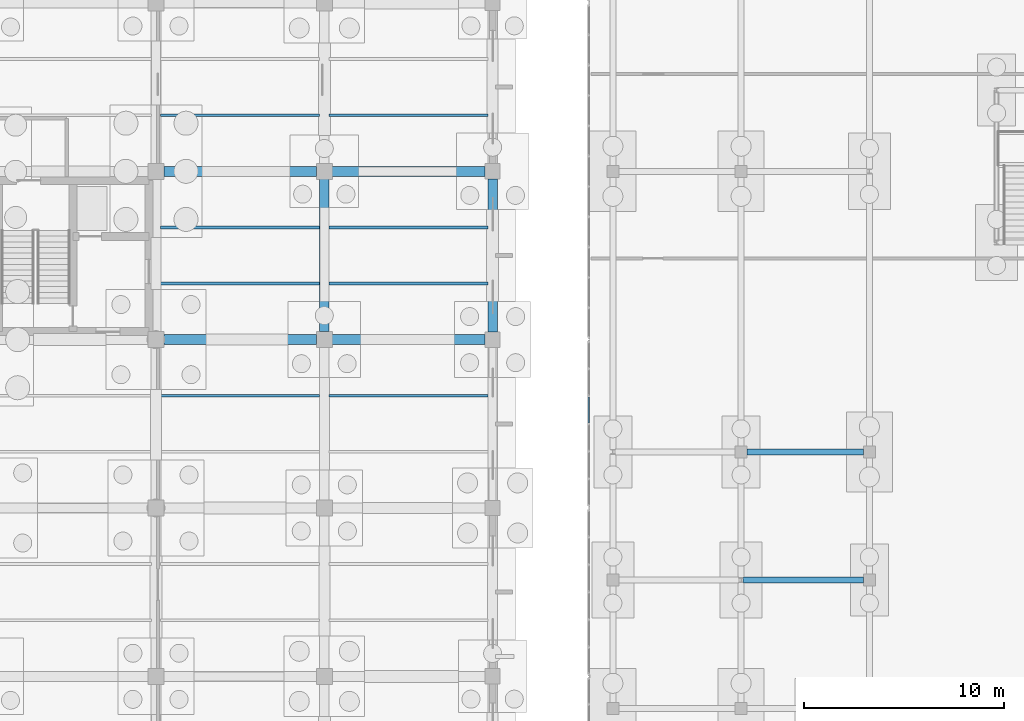
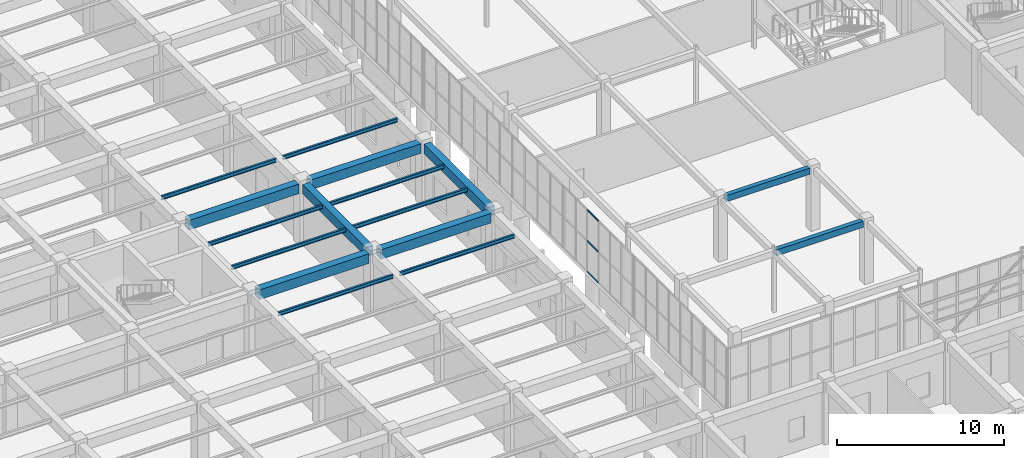
# One storey, part 53 of 192: 16 beams, 3 members, 1 element without a shape of its own.
"""IFC4 building model written with IfcOpenShell, lengths in metres."""

from ifc_helpers import new_model, si_unit, direction, frame, origin, origin_2d, place, context, subcontext, project, spatial, rectangle, hollow_rectangle, i_section, extrude, material, layer, layer_set, material_profile, profile_set, type_object, element, aggregate, save


model = new_model("IFC4")

# Units and contexts
model_context = context("Model", 3, precision=1e-05, world=origin(), true_north=direction((0.0, 1.0)))
body_context = subcontext(model_context, "Body", "Model", "MODEL_VIEW")
ifc_project = project(units=[si_unit("LENGTHUNIT", "METRE"), si_unit("AREAUNIT", "SQUARE_METRE"), si_unit("VOLUMEUNIT", "CUBIC_METRE"), si_unit("PLANEANGLEUNIT", "RADIAN"), si_unit("MASSUNIT", "GRAM", prefix="KILO")], contexts=[model_context])

# Site, building, storey
site_placement = place(None, origin())
site = spatial("IfcSite", under=ifc_project, at=site_placement, CompositionType="ELEMENT")
building_placement = place(site_placement, origin())
building = spatial("IfcBuilding", under=site, at=building_placement, Name="Trelvath General Hospital", CompositionType="ELEMENT")
storey_placement = place(building_placement, origin())
storey = spatial("IfcBuildingStorey", under=building, at=storey_placement, Name="L00", CompositionType="ELEMENT", Elevation=0.0)

# Beams
ifc_material_1 = material(Name="Concrete C35/45", Category="concrete")
ifc_material_profile_1 = material_profile(ifc_material_1, rectangle(XDim=0.300048828125, YDim=0.449951171875, at=origin_2d()), Name="RCB300x450")
ifc_profile_set_1 = profile_set([ifc_material_profile_1], Name="Concrete C35/45")
beam_type_1 = type_object("IfcBeamType", Name="Beam RC300x450", PredefinedType="BEAM", material=ifc_profile_set_1)
beam_1_placement = place(storey_placement, frame((54.506103515625, 38.39990234375, 4.3349609375), z_axis=(1.0, 0.0, 0.0), x_axis=(0.0, 1.0, 0.0)))
element("IfcBeam", 1, at=beam_1_placement, inside=storey, type_object=beam_type_1, Name="Cube Interior Ring Beam CUBE-W-T0 L00", PredefinedType="BEAM", context=body_context, shape_type="SweptSolid", body=[
    extrude(rectangle(XDim=0.300048828125, YDim=0.449951171875, at=origin_2d()), origin(), (0.0, 0.0, 1.0), 5.997802734375),
])
beam_2_placement = place(storey_placement, frame((54.696044921875, 44.800048828125, 4.3349609375), z_axis=(1.0, 0.0, 0.0), x_axis=(0.0, 1.0, 0.0)))
element("IfcBeam", 2, at=beam_2_placement, inside=storey, type_object=beam_type_1, Name="Cube Interior Ring Beam CUBE-W-T0 L00", PredefinedType="BEAM", context=body_context, shape_type="SweptSolid", body=[
    extrude(rectangle(XDim=0.300048828125, YDim=0.449951171875, at=origin_2d()), origin(), (0.0, 0.0, 1.0), 5.807861328125),
])
ifc_material_2 = material(Name="Concrete C35/45", Category="concrete")
ifc_material_profile_2 = material_profile(ifc_material_2, rectangle(XDim=0.47998046875, YDim=0.679931640625, at=origin_2d()), Name="RCB480x680")
ifc_profile_set_2 = profile_set([ifc_material_profile_2], Name="Concrete C35/45")
beam_type_2 = type_object("IfcBeamType", Name="Beam RC480x680", PredefinedType="BEAM", material=ifc_profile_set_2)
beam_3_placement = place(storey_placement, frame((33.60009765625, 50.794921875, 4.179931640625), z_axis=(0.0, 1.0, 0.0), x_axis=(-1.0, 0.0, 0.0)))
element("IfcBeam", 3, at=beam_3_placement, inside=storey, type_object=beam_type_2, Name="Grid Beam BY-004G", PredefinedType="BEAM", context=body_context, shape_type="SweptSolid", body=[
    extrude(rectangle(XDim=0.47998046875, YDim=0.679931640625, at=origin_2d()), origin(), (0.0, 0.0, 1.0), 7.610107421875),
])
beam_4_placement = place(storey_placement, frame((42.0, 50.77490234375, 4.179931640625), z_axis=(0.0, 1.0, 0.0), x_axis=(-1.0, 0.0, 0.0)))
element("IfcBeam", 4, at=beam_4_placement, inside=storey, type_object=beam_type_2, Name="Grid Beam BY-005G", PredefinedType="BEAM", context=body_context, shape_type="SweptSolid", body=[
    extrude(rectangle(XDim=0.47998046875, YDim=0.679931640625, at=origin_2d()), origin(), (0.0, 0.0, 1.0), 7.650146484375),
])
ifc_material_3 = material(Name="Concrete C35/45", Category="concrete")
ifc_material_profile_3 = material_profile(ifc_material_3, rectangle(XDim=0.5, YDim=0.699951171875, at=origin_2d()), Name="RCB500x700")
ifc_profile_set_3 = profile_set([ifc_material_profile_3], Name="Concrete C35/45")
beam_type_3 = type_object("IfcBeamType", Name="Beam RC500x700", PredefinedType="BEAM", material=ifc_profile_set_3)
for number, where, z_axis, x_axis, name in (
    (5, (25.594970703125, 50.39990234375, 4.169921875), (1.0, 0.0, 0.0), (0.0, 1.0, 0.0), "Grid Beam BX-003G"),
    (6, (25.594970703125, 58.800048828125, 4.169921875), (1.0, 0.0, 0.0), (0.0, 1.0, 0.0), "Grid Beam BX-003H"),
):
    element("IfcBeam", number, at=place(storey_placement, frame(where, z_axis=z_axis, x_axis=x_axis)), inside=storey, type_object=beam_type_3, Name=name, PredefinedType="BEAM", context=body_context, shape_type="SweptSolid", body=[
        extrude(rectangle(XDim=0.5, YDim=0.699951171875, at=origin_2d()), origin(), (0.0, 0.0, 1.0), 7.610107421875),
    ])
for number, where, z_axis, x_axis, name in (
    (7, (33.9951171875, 50.39990234375, 4.169921875), (1.0, 0.0, 0.0), (0.0, 1.0, 0.0), "Grid Beam BX-004G"),
    (8, (33.9951171875, 58.800048828125, 4.169921875), (1.0, 0.0, 0.0), (0.0, 1.0, 0.0), "Grid Beam BX-004H"),
):
    element("IfcBeam", number, at=place(storey_placement, frame(where, z_axis=z_axis, x_axis=x_axis)), inside=storey, type_object=beam_type_3, Name=name, PredefinedType="BEAM", context=body_context, shape_type="SweptSolid", body=[
        extrude(rectangle(XDim=0.5, YDim=0.699951171875, at=origin_2d()), origin(), (0.0, 0.0, 1.0), 7.6298828125),
    ])

# Curtain wall, members
ifc_material_4 = material(Name="Anodised aluminium and low-E glass", Category="aluminium")
ifc_layer = layer(ifc_material_4, 0.139892578125)
ifc_layer_set = layer_set([ifc_layer], Name="Anodised aluminium and low-E glass")
curtain_wall_type = type_object("IfcCurtainWallType", Name="CW CrystalCube 824 456 14", PredefinedType="USERDEFINED", material=ifc_layer_set)
curtain_wall_placement = place(storey_placement, origin())
curtain_wall = element("IfcCurtainWall", 9, at=curtain_wall_placement, inside=storey, type_object=curtain_wall_type, Name="Crystal Cube Curtain Wall CUBE-W-T0 W3 L00", ObjectType="Unitised Glazed Curtain Wall", PredefinedType="USERDEFINED")
ifc_material_5 = material(Name="Anodised aluminium", Category="aluminium")
ifc_material_profile_4 = material_profile(ifc_material_5, hollow_rectangle(XDim=0.06005859375, YDim=0.110107421875, WallThickness=0.00390625, at=origin_2d()), Name="RHS60x110x4")
ifc_profile_set_4 = profile_set([ifc_material_profile_4], Name="Anodised aluminium")
member_type = type_object("IfcMemberType", Name="CurtainTransom 60x110", PredefinedType="USERDEFINED", material=ifc_profile_set_4)
member_1_placement = place(storey_placement, frame((46.800048828125, 46.22998046875, 0.030029296875), z_axis=(0.0, 1.0, 0.0), x_axis=(-1.0, 0.0, 0.0)))
member_1 = element("IfcMember", 10, at=member_1_placement, type_object=member_type, Name="CW-098 transom 4.1", ObjectType="TRANSOM", PredefinedType="USERDEFINED", context=body_context, shape_type="SweptSolid", body=[
    extrude(hollow_rectangle(XDim=0.06005859375, YDim=0.110107421875, WallThickness=0.00390625, at=origin_2d()), origin(), (0.0, 0.0, 1.0), 1.313232421875),
])
member_2_placement = place(storey_placement, frame((46.800048828125, 46.22998046875, 2.280029296875), z_axis=(0.0, 1.0, 0.0), x_axis=(-1.0, 0.0, 0.0)))
member_2 = element("IfcMember", 11, at=member_2_placement, type_object=member_type, Name="CW-098 transom 4.2", ObjectType="TRANSOM", PredefinedType="USERDEFINED", context=body_context, shape_type="SweptSolid", body=[
    extrude(hollow_rectangle(XDim=0.06005859375, YDim=0.110107421875, WallThickness=0.00390625, at=origin_2d()), origin(), (0.0, 0.0, 1.0), 1.313232421875),
])
member_3_placement = place(storey_placement, frame((46.800048828125, 46.22998046875, 4.530029296875), z_axis=(0.0, 1.0, 0.0), x_axis=(-1.0, 0.0, 0.0)))
member_3 = element("IfcMember", 12, at=member_3_placement, type_object=member_type, Name="CW-098 transom 4.3", ObjectType="TRANSOM", PredefinedType="USERDEFINED", context=body_context, shape_type="SweptSolid", body=[
    extrude(hollow_rectangle(XDim=0.06005859375, YDim=0.110107421875, WallThickness=0.00390625, at=origin_2d()), origin(), (0.0, 0.0, 1.0), 1.313232421875),
])
aggregate(curtain_wall, [member_1, member_2, member_3])

# Beams
ifc_material_6 = material(Name="Steel S355", Category="steel")
ifc_material_profile_5 = material_profile(ifc_material_6, i_section(OverallWidth=0.135009765625, OverallDepth=0.27001953125, WebThickness=0.006591796875, FlangeThickness=0.01025390625, at=origin_2d()), Name="IPE270")
ifc_profile_set_5 = profile_set([ifc_material_profile_5], Name="Steel S355")
beam_type_4 = type_object("IfcBeamType", Name="InterstitialJoist IPE270", PredefinedType="JOIST", material=ifc_profile_set_5)
for number, where, z_axis, x_axis, name in (
    (13, (25.429931640625, 47.60009765625, 4.385009765625), (1.0, 0.0, 0.0), (0.0, 1.0, 0.0), "Interstitial Deck Joist IJ-1-076"),
    (14, (25.429931640625, 53.199951171875, 4.385009765625), (1.0, 0.0, 0.0), (0.0, 1.0, 0.0), "Interstitial Deck Joist IJ-1-077"),
    (15, (25.429931640625, 56.0, 4.385009765625), (1.0, 0.0, 0.0), (0.0, 1.0, 0.0), "Interstitial Deck Joist IJ-1-078"),
    (16, (25.429931640625, 61.60009765625, 4.385009765625), (1.0, 0.0, 0.0), (0.0, 1.0, 0.0), "Interstitial Deck Joist IJ-1-079"),
):
    element("IfcBeam", number, at=place(storey_placement, frame(where, z_axis=z_axis, x_axis=x_axis)), inside=storey, type_object=beam_type_4, Name=name, PredefinedType="JOIST", context=body_context, shape_type="SweptSolid", body=[
        extrude(i_section(OverallWidth=0.135009765625, OverallDepth=0.27001953125, WebThickness=0.006591796875, FlangeThickness=0.01025390625, at=origin_2d()), origin(), (0.0, 0.0, 1.0), 7.940185546875),
    ])
for number, where, z_axis, x_axis, name in (
    (17, (33.830078125, 47.60009765625, 4.385009765625), (1.0, 0.0, 0.0), (0.0, 1.0, 0.0), "Interstitial Deck Joist IJ-1-092"),
    (18, (33.830078125, 53.199951171875, 4.385009765625), (1.0, 0.0, 0.0), (0.0, 1.0, 0.0), "Interstitial Deck Joist IJ-1-093"),
    (19, (33.830078125, 56.0, 4.385009765625), (1.0, 0.0, 0.0), (0.0, 1.0, 0.0), "Interstitial Deck Joist IJ-1-094"),
    (20, (33.830078125, 61.60009765625, 4.385009765625), (1.0, 0.0, 0.0), (0.0, 1.0, 0.0), "Interstitial Deck Joist IJ-1-095"),
):
    element("IfcBeam", number, at=place(storey_placement, frame(where, z_axis=z_axis, x_axis=x_axis)), inside=storey, type_object=beam_type_4, Name=name, PredefinedType="JOIST", context=body_context, shape_type="SweptSolid", body=[
        extrude(i_section(OverallWidth=0.135009765625, OverallDepth=0.27001953125, WebThickness=0.006591796875, FlangeThickness=0.01025390625, at=origin_2d()), origin(), (0.0, 0.0, 1.0), 7.93994140625),
    ])

save(model, "model.ifc")
